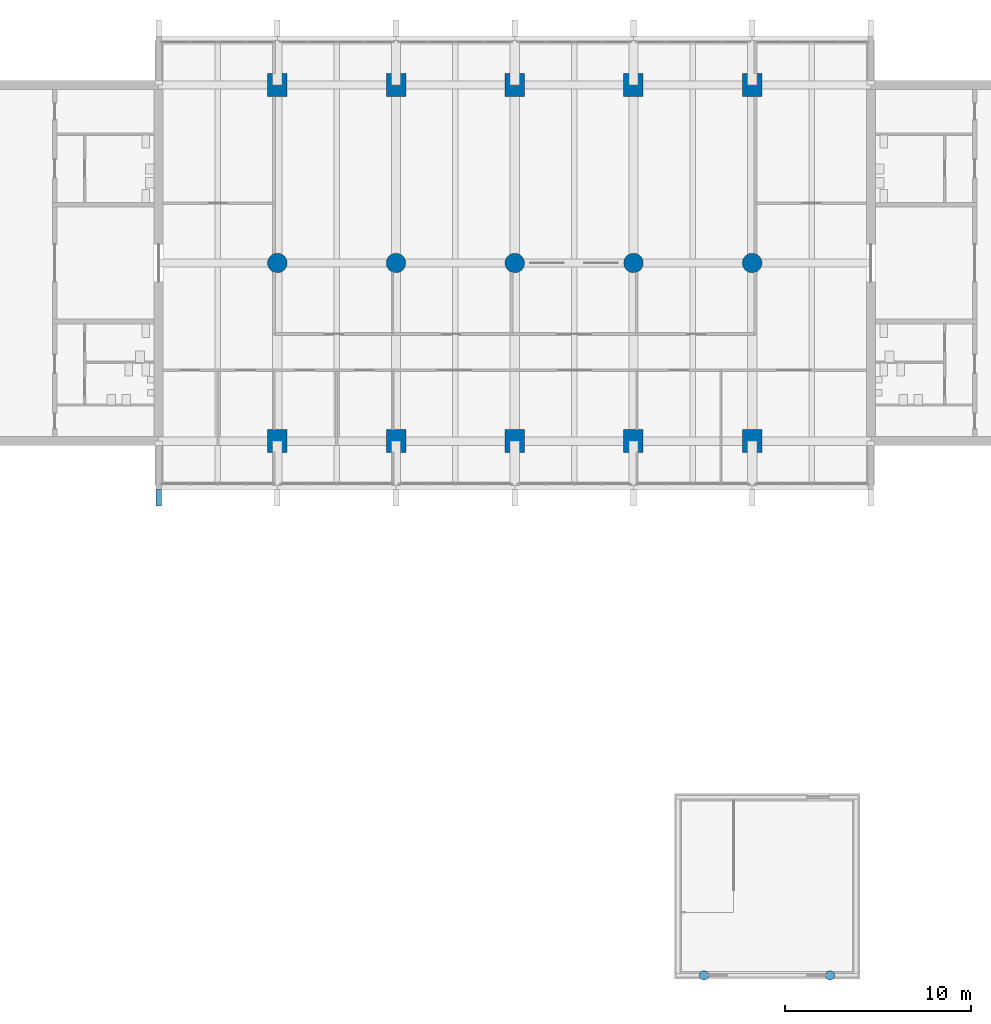
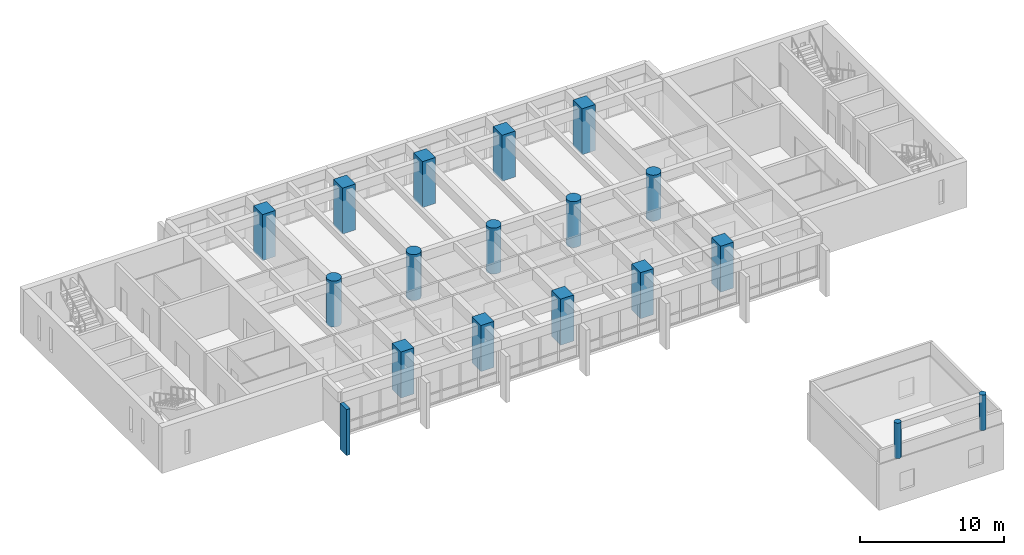
# One storey, part 1 of 19: 17 columns, 1 member.
"""IFC4 building model written with IfcOpenShell, lengths in metres."""

from ifc_helpers import new_model, si_unit, direction, frame, origin, origin_2d, place, context, subcontext, project, spatial, rectangle, circle, extrude, material, material_profile, profile_set, type_object, element, save


model = new_model("IFC4")

# Units and contexts
model_context = context("Model", 3, precision=1e-05, world=origin(), true_north=direction((0.0, 1.0)))
body_context = subcontext(model_context, "Body", "Model", "MODEL_VIEW")
ifc_project = project(units=[si_unit("LENGTHUNIT", "METRE"), si_unit("AREAUNIT", "SQUARE_METRE"), si_unit("VOLUMEUNIT", "CUBIC_METRE"), si_unit("PLANEANGLEUNIT", "RADIAN"), si_unit("MASSUNIT", "GRAM", prefix="KILO")], contexts=[model_context])

# Site, building, storey
site_placement = place(None, origin())
site = spatial("IfcSite", under=ifc_project, at=site_placement, CompositionType="ELEMENT")
building_placement = place(site_placement, origin())
building = spatial("IfcBuilding", under=site, at=building_placement, Name="Fogon Plaza Fire Station and Headquarters Tower", CompositionType="ELEMENT")
storey_placement = place(building_placement, frame((0.0, 0.0, 24.89990234375)))
storey = spatial("IfcBuildingStorey", under=building, at=storey_placement, Name="L06", CompositionType="ELEMENT", Elevation=24.89990234375)

# Columns
ifc_material_1 = material(Name="Concrete C40", Category="concrete")
ifc_material_profile_1 = material_profile(ifc_material_1, rectangle(XDim=1.050048828125, YDim=1.25, at=origin_2d()), Name="RC 1050x1250")
ifc_profile_set_1 = profile_set([ifc_material_profile_1], Name="Concrete C40")
column_type_1 = type_object("IfcColumnType", Name="COLUMN RC 1050x1250", PredefinedType="COLUMN", material=ifc_profile_set_1)
for number, where, z_axis, x_axis, name in (
    (1, (32.0, 33.60009765625, 0.0), (0.0, 0.0, 1.0), (1.0, 0.0, 0.0), "col-L06-4E"),
    (2, (32.0, 52.800048828125, 0.0), (0.0, 0.0, 1.0), (1.0, 0.0, 0.0), "col-L06-4G"),
    (3, (38.39990234375, 33.60009765625, 0.0), (0.0, 0.0, 1.0), (1.0, 0.0, 0.0), "col-L06-5E"),
    (4, (38.39990234375, 52.800048828125, 0.0), (0.0, 0.0, 1.0), (1.0, 0.0, 0.0), "col-L06-5G"),
    (5, (44.800048828125, 33.60009765625, 0.0), (0.0, 0.0, 1.0), (1.0, 0.0, 0.0), "col-L06-6E"),
    (6, (44.800048828125, 52.800048828125, 0.0), (0.0, 0.0, 1.0), (1.0, 0.0, 0.0), "col-L06-6G"),
    (7, (51.199951171875, 33.60009765625, 0.0), (0.0, 0.0, 1.0), (1.0, 0.0, 0.0), "col-L06-7E"),
    (8, (51.199951171875, 52.800048828125, 0.0), (0.0, 0.0, 1.0), (1.0, 0.0, 0.0), "col-L06-7G"),
    (9, (57.60009765625, 33.60009765625, 0.0), (0.0, 0.0, 1.0), (1.0, 0.0, 0.0), "col-L06-8E"),
    (10, (57.60009765625, 52.800048828125, 0.0), (0.0, 0.0, 1.0), (1.0, 0.0, 0.0), "col-L06-8G"),
):
    element("IfcColumn", number, at=place(storey_placement, frame(where, z_axis=z_axis, x_axis=x_axis)), inside=storey, type_object=column_type_1, Name=name, PredefinedType="COLUMN", context=body_context, shape_type="SweptSolid", body=[
        extrude(rectangle(XDim=1.050048828125, YDim=1.25, at=origin_2d()), origin(), (0.0, 0.0, 1.0), 3.900146484375),
    ])
ifc_material_2 = material(Name="Concrete C40", Category="concrete")
ifc_material_profile_2 = material_profile(ifc_material_2, circle(Radius=0.52490234375, at=origin_2d()), Name="RC D1050")
ifc_profile_set_2 = profile_set([ifc_material_profile_2], Name="Concrete C40")
column_type_2 = type_object("IfcColumnType", Name="COLUMN RC D1050", PredefinedType="COLUMN", material=ifc_profile_set_2)
for number, where, z_axis, x_axis, name in (
    (11, (32.0, 43.199951171875, 0.0), (0.0, 0.0, 1.0), (1.0, 0.0, 0.0), "col-L06-4F"),
    (12, (38.39990234375, 43.199951171875, 0.0), (0.0, 0.0, 1.0), (1.0, 0.0, 0.0), "col-L06-5F"),
    (13, (44.800048828125, 43.199951171875, 0.0), (0.0, 0.0, 1.0), (1.0, 0.0, 0.0), "col-L06-6F"),
    (14, (51.199951171875, 43.199951171875, 0.0), (0.0, 0.0, 1.0), (1.0, 0.0, 0.0), "col-L06-7F"),
    (15, (57.60009765625, 43.199951171875, 0.0), (0.0, 0.0, 1.0), (1.0, 0.0, 0.0), "col-L06-8F"),
):
    element("IfcColumn", number, at=place(storey_placement, frame(where, z_axis=z_axis, x_axis=x_axis)), inside=storey, type_object=column_type_2, Name=name, PredefinedType="COLUMN", context=body_context, shape_type="SweptSolid", body=[
        extrude(circle(Radius=0.52490234375, at=origin_2d()), origin(), (0.0, 0.0, 1.0), 3.900146484375),
    ])
ifc_material_3 = material(Name="Concrete C40", Category="concrete")
ifc_material_profile_3 = material_profile(ifc_material_3, circle(Radius=0.25, at=origin_2d()), Name="RC D500")
ifc_profile_set_3 = profile_set([ifc_material_profile_3], Name="Concrete C40")
column_type_3 = type_object("IfcColumnType", Name="COLUMN RC D500", PredefinedType="COLUMN", material=ifc_profile_set_3)
for number, where, z_axis, x_axis, name in (
    (16, (55.0, 4.800048828125, 3.900146484375), (0.0, 0.0, 1.0), (1.0, 0.0, 0.0), "col-L06-AN1"),
    (17, (61.800048828125, 4.800048828125, 3.900146484375), (0.0, 0.0, 1.0), (1.0, 0.0, 0.0), "col-L06-AN2"),
):
    element("IfcColumn", number, at=place(storey_placement, frame(where, z_axis=z_axis, x_axis=x_axis)), inside=storey, type_object=column_type_3, Name=name, PredefinedType="COLUMN", context=body_context, shape_type="SweptSolid", body=[
        extrude(circle(Radius=0.25, at=origin_2d()), origin(), (0.0, 0.0, 1.0), 3.0),
    ])

# Member
ifc_material_4 = material(Name="Concrete C40 precast", Category="concrete")
ifc_material_profile_4 = material_profile(ifc_material_4, rectangle(XDim=0.300048828125, YDim=0.89990234375, at=origin_2d()), Name="Precast Concrete Post 300x900")
ifc_profile_set_4 = profile_set([ifc_material_profile_4], Name="Concrete C40 precast")
member_type = type_object("IfcMemberType", Name="Precast Concrete Post 300x900", PredefinedType="POST", material=ifc_profile_set_4)
member_placement = place(storey_placement, frame((25.60009765625, 30.550048828125, -1.02001953125), z_axis=(0.0, 0.0, 1.0), x_axis=(1.0, 0.0, 0.0)))
element("IfcMember", 18, at=member_placement, inside=storey, type_object=member_type, Name="Precast Post S L06", PredefinedType="POST", context=body_context, shape_type="SweptSolid", body=[
    extrude(rectangle(XDim=0.300048828125, YDim=0.89990234375, at=origin_2d()), origin(), (0.0, 0.0, 1.0), 3.900146484375),
])

save(model, "model.ifc")
